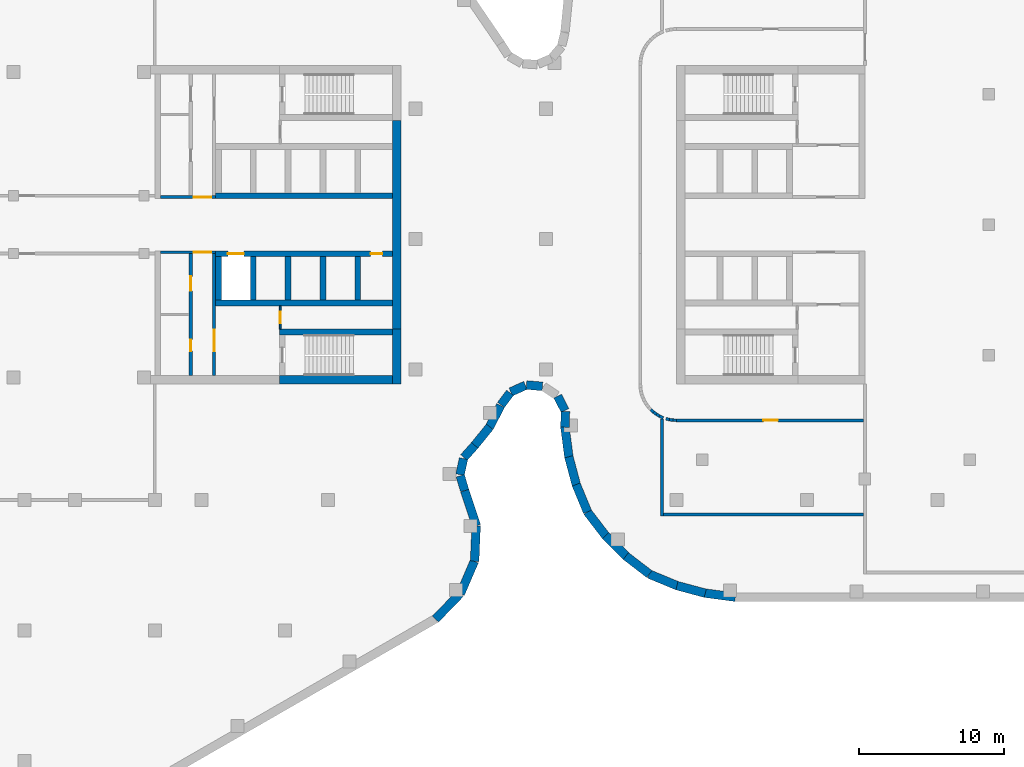
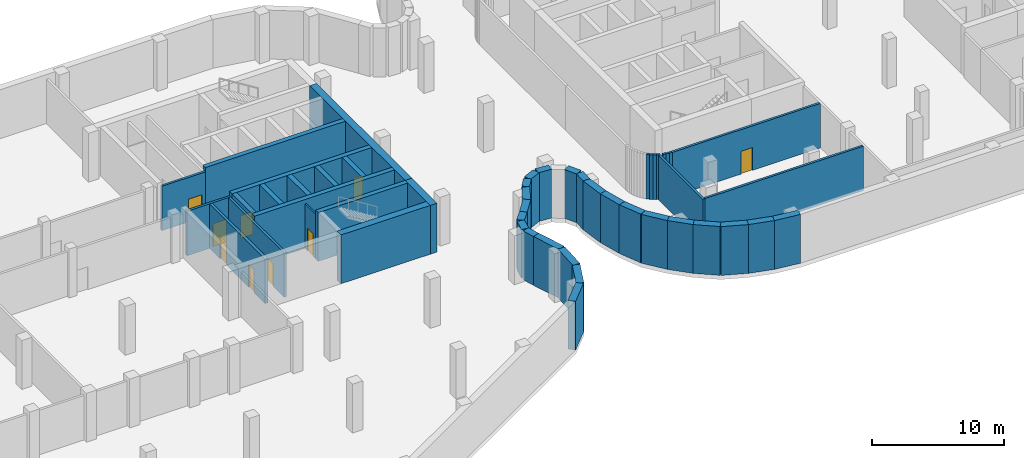
# One storey, part 7 of 16: 50 walls, 9 doors, 9 openings.
"""IFC4 building model written with IfcOpenShell, lengths in metres."""

from ifc_helpers import new_model, si_unit, direction, frame, frame_2d, origin, place, context, subcontext, project, spatial, rectangle, extrude, material, layer, layer_set, type_object, element, fill, save


model = new_model("IFC4")

# Units and contexts
model_context = context("Model", 3, precision=1e-05, world=origin(), true_north=direction((0.0, 1.0)))
body_context = subcontext(model_context, "Body", "Model", "MODEL_VIEW")
ifc_project = project(units=[si_unit("LENGTHUNIT", "METRE"), si_unit("AREAUNIT", "SQUARE_METRE"), si_unit("VOLUMEUNIT", "CUBIC_METRE"), si_unit("PLANEANGLEUNIT", "RADIAN"), si_unit("MASSUNIT", "GRAM", prefix="KILO")], contexts=[model_context])

# Site, building, storey
site_placement = place(None, origin())
site = spatial("IfcSite", under=ifc_project, at=site_placement, CompositionType="ELEMENT")
building_placement = place(site_placement, origin())
building = spatial("IfcBuilding", under=site, at=building_placement, Name="Skarvind Civic Tower", CompositionType="ELEMENT")
storey_placement = place(building_placement, frame((0.0, 0.0, -4.5)))
storey = spatial("IfcBuildingStorey", under=building, at=storey_placement, Name="B1", CompositionType="ELEMENT", Elevation=-4.5)

# Walls
ifc_material_1 = material(Name="Concrete C40", Category="concrete")
ifc_layer_1 = layer(ifc_material_1, 0.60009765625)
ifc_layer_set_1 = layer_set([ifc_layer_1], Name="Basement retaining wall 600 C40")
wall_type_1 = type_object("IfcWallType", Name="Basement retaining wall 600 C40", PredefinedType="SHEAR", material=ifc_layer_set_1)
wall_1_placement = place(storey_placement, frame((131.06103515625, 102.29736328125, 0.0), z_axis=(0.0, 0.0, 1.0), x_axis=(-0.991440646942, 0.130558200013, 0.0)))
element("IfcWall", 1, at=wall_1_placement, inside=storey, type_object=wall_type_1, Name="Basement retaining wall B1 64", PredefinedType="SHEAR", context=body_context, shape_type="SweptSolid", body=[
    extrude(rectangle(XDim=2.1318359375, YDim=0.60009765625, at=frame_2d((1.06591796875, 0.0))), origin(), (0.0, 0.0, 1.0), 4.5),
])
wall_2_placement = place(storey_placement, frame((128.986083984375, 102.568115234375, 0.0), z_axis=(0.0, 0.0, 1.0), x_axis=(-0.965929732323, 0.258804467146, 0.0)))
element("IfcWall", 2, at=wall_2_placement, inside=storey, type_object=wall_type_1, Name="Basement retaining wall B1 65", PredefinedType="SHEAR", context=body_context, shape_type="SweptSolid", body=[
    extrude(rectangle(XDim=2.0224609375, YDim=0.60009765625, at=frame_2d((1.01123046875, 0.0))), origin(), (0.0, 0.0, 1.0), 4.5),
])
wall_3_placement = place(storey_placement, frame((127.0693359375, 103.078857421875, 0.0), z_axis=(0.0, 0.0, 1.0), x_axis=(-0.924006983526, 0.382375593358, 0.0)))
element("IfcWall", 3, at=wall_3_placement, inside=storey, type_object=wall_type_1, Name="Basement retaining wall B1 66", PredefinedType="SHEAR", context=body_context, shape_type="SweptSolid", body=[
    extrude(rectangle(XDim=2.114013671875, YDim=0.60009765625, at=frame_2d((1.05712890625, 0.0))), origin(), (0.0, 0.0, 1.0), 4.5),
])
wall_4_placement = place(storey_placement, frame((125.12841796875, 103.890625, 0.0), z_axis=(0.0, 0.0, 1.0), x_axis=(-0.793125485267, 0.609058260448, 0.0)))
element("IfcWall", 4, at=wall_4_placement, inside=storey, type_object=wall_type_1, Name="Basement retaining wall B1 67", PredefinedType="SHEAR", context=body_context, shape_type="SweptSolid", body=[
    extrude(rectangle(XDim=2.0439453125, YDim=0.60009765625, at=frame_2d((1.02197265625, 0.0))), origin(), (0.0, 0.0, 1.0), 4.5),
])
wall_5_placement = place(storey_placement, frame((123.536865234375, 105.109619140625, 0.0), z_axis=(0.0, 0.0, 1.0), x_axis=(-0.707106781187, 0.707106781187, 0.0)))
element("IfcWall", 5, at=wall_5_placement, inside=storey, type_object=wall_type_1, Name="Basement retaining wall B1 68", PredefinedType="SHEAR", context=body_context, shape_type="SweptSolid", body=[
    extrude(rectangle(XDim=2.018310546875, YDim=0.60009765625, at=frame_2d((1.00927734375, 0.0))), origin(), (0.0, 0.0, 1.0), 4.5),
])
wall_6_placement = place(storey_placement, frame((122.135498046875, 106.50732421875, 0.0), z_axis=(0.0, 0.0, 1.0), x_axis=(-0.609052002567, 0.79313029079, 0.0)))
element("IfcWall", 6, at=wall_6_placement, inside=storey, type_object=wall_type_1, Name="Basement retaining wall B1 69", PredefinedType="SHEAR", context=body_context, shape_type="SweptSolid", body=[
    extrude(rectangle(XDim=2.114013671875, YDim=0.60009765625, at=frame_2d((1.05712890625, 0.0))), origin(), (0.0, 0.0, 1.0), 4.5),
])
wall_7_placement = place(storey_placement, frame((120.8603515625, 108.1806640625, 0.0), z_axis=(0.0, 0.0, 1.0), x_axis=(-0.382341242798, 0.924021197839, 0.0)))
element("IfcWall", 7, at=wall_7_placement, inside=storey, type_object=wall_type_1, Name="Basement retaining wall B1 70", PredefinedType="SHEAR", context=body_context, shape_type="SweptSolid", body=[
    extrude(rectangle(XDim=2.0439453125, YDim=0.60009765625, at=frame_2d((1.02197265625, 0.0))), origin(), (0.0, 0.0, 1.0), 4.5),
])
wall_8_placement = place(storey_placement, frame((120.091552734375, 110.032470703125, 0.0), z_axis=(0.0, 0.0, 1.0), x_axis=(-0.258804467146, 0.965929732323, 0.0)))
element("IfcWall", 8, at=wall_8_placement, inside=storey, type_object=wall_type_1, Name="Basement retaining wall B1 71", PredefinedType="SHEAR", context=body_context, shape_type="SweptSolid", body=[
    extrude(rectangle(XDim=2.0224609375, YDim=0.60009765625, at=frame_2d((1.01123046875, 0.0))), origin(), (0.0, 0.0, 1.0), 4.5),
])
wall_9_placement = place(storey_placement, frame((119.57568359375, 111.947509765625, 0.0), z_axis=(0.0, 0.0, 1.0), x_axis=(-0.130558200013, 0.991440646942, 0.0)))
element("IfcWall", 9, at=wall_9_placement, inside=storey, type_object=wall_type_1, Name="Basement retaining wall B1 72", PredefinedType="SHEAR", context=body_context, shape_type="SweptSolid", body=[
    extrude(rectangle(XDim=2.1318359375, YDim=0.60009765625, at=frame_2d((1.06591796875, 0.0))), origin(), (0.0, 0.0, 1.0), 4.5),
])
wall_10_placement = place(storey_placement, frame((119.300048828125, 114.02099609375, 0.0), z_axis=(0.0, 0.0, 1.0), x_axis=(0.035851376959, 0.999357132746, 0.0)))
element("IfcWall", 10, at=wall_10_placement, inside=storey, type_object=wall_type_1, Name="Basement retaining wall B1 73", PredefinedType="SHEAR", context=body_context, shape_type="SweptSolid", body=[
    extrude(rectangle(XDim=1.089599609375, YDim=0.60009765625, at=frame_2d((0.544921875, 0.0))), origin(), (0.0, 0.0, 1.0), 4.5),
])
wall_11_placement = place(storey_placement, frame((119.308837890625, 115.177978515625, 0.0), z_axis=(0.0, 0.0, 1.0), x_axis=(-0.453803794189, 0.891101630781, 0.0)))
element("IfcWall", 11, at=wall_11_placement, inside=storey, type_object=wall_type_1, Name="Basement retaining wall B1 74", PredefinedType="SHEAR", context=body_context, shape_type="SweptSolid", body=[
    extrude(rectangle(XDim=1.109375, YDim=0.60009765625, at=frame_2d((0.5546875, 0.0))), origin(), (0.0, 0.0, 1.0), 4.5),
])
for number, where, z_axis, x_axis, name in (
    (12, (117.751953125, 116.841552734375, 0.0), (0.0, 0.0, 1.0), (-0.996273540208, 0.086249829453, 0.0), "Basement retaining wall B1 76"),
    (13, (116.5771484375, 116.91015625, 0.0), (0.0, 0.0, 1.0), (-0.912911040257, -0.408158587533, 0.0), "Basement retaining wall B1 77"),
):
    element("IfcWall", number, at=place(storey_placement, frame(where, z_axis=z_axis, x_axis=x_axis)), inside=storey, type_object=wall_type_1, Name=name, PredefinedType="SHEAR", context=body_context, shape_type="SweptSolid", body=[
        extrude(rectangle(XDim=1.109619140625, YDim=0.60009765625, at=frame_2d((0.5546875, 0.0))), origin(), (0.0, 0.0, 1.0), 4.5),
    ])
wall_12_placement = place(storey_placement, frame((115.5166015625, 116.400146484375, 0.0), z_axis=(0.0, 0.0, 1.0), x_axis=(-0.599962428306, -0.800028177392, 0.0)))
element("IfcWall", 14, at=wall_12_placement, inside=storey, type_object=wall_type_1, Name="Basement retaining wall B1 78", PredefinedType="SHEAR", context=body_context, shape_type="SweptSolid", body=[
    extrude(rectangle(XDim=1.039794921875, YDim=0.60009765625, at=frame_2d((0.52001953125, 0.0))), origin(), (0.0, 0.0, 1.0), 4.5),
])
wall_13_placement = place(storey_placement, frame((114.865478515625, 115.524658203125, 0.0), z_axis=(0.0, 0.0, 1.0), x_axis=(-0.454203210797, -0.890898110505, 0.0)))
element("IfcWall", 15, at=wall_13_placement, inside=storey, type_object=wall_type_1, Name="Basement retaining wall B1 79", PredefinedType="SHEAR", context=body_context, shape_type="SweptSolid", body=[
    extrude(rectangle(XDim=1.687255859375, YDim=0.60009765625, at=frame_2d((0.84375, 0.0))), origin(), (0.0, 0.0, 1.0), 4.5),
])
wall_14_placement = place(storey_placement, frame((114.114501953125, 114.05078125, 0.0), z_axis=(0.0, 0.0, 1.0), x_axis=(-0.630015715698, -0.77658238325, 0.0)))
element("IfcWall", 16, at=wall_14_placement, inside=storey, type_object=wall_type_1, Name="Basement retaining wall B1 80", PredefinedType="SHEAR", context=body_context, shape_type="SweptSolid", body=[
    extrude(rectangle(XDim=1.657470703125, YDim=0.60009765625, at=frame_2d((0.82861328125, 0.0))), origin(), (0.0, 0.0, 1.0), 4.5),
])
wall_15_placement = place(storey_placement, frame((113.079345703125, 112.77392578125, 0.0), z_axis=(0.0, 0.0, 1.0), x_axis=(-0.664659423307, -0.747146472259, 0.0)))
element("IfcWall", 17, at=wall_15_placement, inside=storey, type_object=wall_type_1, Name="Basement retaining wall B1 81", PredefinedType="SHEAR", context=body_context, shape_type="SweptSolid", body=[
    extrude(rectangle(XDim=1.127685546875, YDim=0.60009765625, at=frame_2d((0.56396484375, 0.0))), origin(), (0.0, 0.0, 1.0), 4.5),
])
wall_16_placement = place(storey_placement, frame((112.309814453125, 111.859130859375, 0.0), z_axis=(0.0, 0.0, 1.0), x_axis=(-0.216998636299, -0.976171906912, 0.0)))
element("IfcWall", 18, at=wall_16_placement, inside=storey, type_object=wall_type_1, Name="Basement retaining wall B1 82", PredefinedType="SHEAR", context=body_context, shape_type="SweptSolid", body=[
    extrude(rectangle(XDim=1.137451171875, YDim=0.60009765625, at=frame_2d((0.56884765625, 0.0))), origin(), (0.0, 0.0, 1.0), 4.5),
])
wall_17_placement = place(storey_placement, frame((112.08056640625, 110.67578125, 0.0), z_axis=(0.0, 0.0, 1.0), x_axis=(0.285606178301, -0.958347072264, 0.0)))
element("IfcWall", 19, at=wall_17_placement, inside=storey, type_object=wall_type_1, Name="Basement retaining wall B1 83", PredefinedType="SHEAR", context=body_context, shape_type="SweptSolid", body=[
    extrude(rectangle(XDim=1.067626953125, YDim=0.60009765625, at=frame_2d((0.53369140625, 0.0))), origin(), (0.0, 0.0, 1.0), 4.5),
])
wall_18_placement = place(storey_placement, frame((112.388427734375, 109.643310546875, 0.0), z_axis=(0.0, 0.0, 1.0), x_axis=(0.316342415142, -0.948645073978, 0.0)))
element("IfcWall", 20, at=wall_18_placement, inside=storey, type_object=wall_type_1, Name="Basement retaining wall B1 84", PredefinedType="SHEAR", context=body_context, shape_type="SweptSolid", body=[
    extrude(rectangle(XDim=2.555419921875, YDim=0.60009765625, at=frame_2d((1.27783203125, 0.0))), origin(), (0.0, 0.0, 1.0), 4.5),
])
for number, where, z_axis, x_axis, name in (
    (21, (113.1767578125, 107.206787109375, 0.0), (0.0, 0.0, 1.0), (-0.042001630397, -0.999117542156, 0.0), "Basement retaining wall B1 85"),
    (22, (113.05126953125, 104.76904296875, 0.0), (0.0, 0.0, 1.0), (-0.394862771196, -0.918740111198, 0.0), "Basement retaining wall B1 86"),
    (23, (112.06640625, 102.53564453125, 0.0), (0.0, 0.0, 1.0), (-0.695943864418, -0.718096189643, 0.0), "Basement retaining wall B1 87"),
):
    element("IfcWall", number, at=place(storey_placement, frame(where, z_axis=z_axis, x_axis=x_axis)), inside=storey, type_object=wall_type_1, Name=name, PredefinedType="SHEAR", context=body_context, shape_type="SweptSolid", body=[
        extrude(rectangle(XDim=2.435546875, YDim=0.60009765625, at=frame_2d((1.2177734375, 0.0))), origin(), (0.0, 0.0, 1.0), 4.5),
    ])

# Wall, opening, door
ifc_material_2 = material(Name="Fire-rated masonry partition", Category="masonry")
ifc_layer_2 = layer(ifc_material_2, 0.199951171875)
ifc_layer_set_2 = layer_set([ifc_layer_2], Name="Core enclosure wall 200")
wall_type_2 = type_object("IfcWallType", Name="Core enclosure wall 200", PredefinedType="PARTITIONING", material=ifc_layer_set_2)
wall_19_placement = place(storey_placement, frame((95.199951171875, 126.10009765625, 0.0), z_axis=(0.0, 0.0, 1.0), x_axis=(-1.0, 0.0, 0.0)))
wall_19 = element("IfcWall", 24, at=wall_19_placement, inside=storey, type_object=wall_type_2, Name="Core wall C1", PredefinedType="PARTITIONING", context=body_context, shape_type="SweptSolid", body=[
    extrude(rectangle(XDim=3.800048828125, YDim=0.199951171875, at=frame_2d((1.89990234375, 0.0))), origin(), (0.0, 0.0, 1.0), 4.10009765625),
])
opening_1_placement = place(wall_19_placement, frame((0.300048828125, 0.0, 0.0)))
opening_1 = element("IfcOpeningElement", 25, at=opening_1_placement, cuts=wall_19, Name="Opening D-B1-C1-03", PredefinedType="OPENING", context=body_context, shape_type="SweptSolid", body=[
    extrude(rectangle(XDim=1.199951171875, YDim=2.10009765625, at=frame_2d((0.60009765625, 1.050048828125))), frame((0.0, 0.10986328125, 0.0), z_axis=(0.0, -1.0, 0.0), x_axis=(1.0, 0.0, 0.0)), (0.0, 0.0, 1.0), 0.219970703125),
])
ifc_material_3 = material(Name="Fire-rated steel door", Category="steel")
door_type_1 = type_object("IfcDoorType", Name="Core lobby door 1200", OperationType="NOTDEFINED", PredefinedType="DOOR", material=ifc_material_3)
door_1_placement = place(opening_1_placement, origin())
door_1 = element("IfcDoor", 26, at=door_1_placement, inside=storey, type_object=door_type_1, Name="Fire door", OperationType="DOUBLE_DOOR_SINGLE_SWING", OverallHeight=2.10009765625, OverallWidth=1.199951171875, PredefinedType="DOOR", context=body_context, shape_type="SweptSolid", body=[
    extrude(rectangle(XDim=1.199951171875, YDim=2.10009765625, at=frame_2d((0.60009765625, 1.050048828125))), frame((0.0, 0.02490234375, 0.0), z_axis=(0.0, -1.0, 0.0), x_axis=(1.0, 0.0, 0.0)), (0.0, 0.0, 1.0), 0.050048828125),
])
fill(opening_1, door_1)

wall_20_placement = place(storey_placement, frame((95.10009765625, 117.60009765625, 0.0), z_axis=(0.0, 0.0, 1.0), x_axis=(0.0, 1.0, 0.0)))
wall_20 = element("IfcWall", 27, at=wall_20_placement, inside=storey, type_object=wall_type_2, Name="Core wall C1", PredefinedType="PARTITIONING", context=body_context, shape_type="SweptSolid", body=[
    extrude(rectangle(XDim=8.39990234375, YDim=0.199951171875, at=frame_2d((4.199951171875, 0.0))), origin(), (0.0, 0.0, 1.0), 4.10009765625),
])
opening_2_placement = place(wall_20_placement, frame((1.64990234375, 0.0, 0.0)))
opening_2 = element("IfcOpeningElement", 28, at=opening_2_placement, cuts=wall_20, Name="Opening D-B1-C1-04", PredefinedType="OPENING", context=body_context, shape_type="SweptSolid", body=[
    extrude(rectangle(XDim=1.5, YDim=2.10009765625, at=frame_2d((0.75, 1.050048828125))), frame((0.0, 0.10986328125, 0.0), z_axis=(0.0, -1.0, 0.0), x_axis=(1.0, 0.0, 0.0)), (0.0, 0.0, 1.0), 0.219970703125),
])
door_type_2 = type_object("IfcDoorType", Name="Fire door 1500", OperationType="NOTDEFINED", PredefinedType="DOOR", material=ifc_material_3)
door_2_placement = place(opening_2_placement, origin())
door_2 = element("IfcDoor", 29, at=door_2_placement, inside=storey, type_object=door_type_2, Name="Fire door", OperationType="DOUBLE_DOOR_SINGLE_SWING", OverallHeight=2.10009765625, OverallWidth=1.5, PredefinedType="DOOR", context=body_context, shape_type="SweptSolid", body=[
    extrude(rectangle(XDim=1.5, YDim=2.10009765625, at=frame_2d((0.75, 1.050048828125))), frame((0.0, 0.02490234375, 0.0), z_axis=(0.0, -1.0, 0.0), x_axis=(1.0, 0.0, 0.0)), (0.0, 0.0, 1.0), 0.050048828125),
])
fill(opening_2, door_2)

wall_21_placement = place(storey_placement, frame((91.39990234375, 129.89990234375, 0.0), z_axis=(0.0, 0.0, 1.0), x_axis=(1.0, 0.0, 0.0)))
wall_21 = element("IfcWall", 30, at=wall_21_placement, inside=storey, type_object=wall_type_2, Name="Core wall C1", PredefinedType="PARTITIONING", context=body_context, shape_type="SweptSolid", body=[
    extrude(rectangle(XDim=3.800048828125, YDim=0.199951171875, at=frame_2d((1.89990234375, 0.0))), origin(), (0.0, 0.0, 1.0), 4.10009765625),
])
opening_3_placement = place(wall_21_placement, frame((2.300048828125, 0.0, 0.0)))
opening_3 = element("IfcOpeningElement", 31, at=opening_3_placement, cuts=wall_21, Name="Opening D-B1-C1-09", PredefinedType="OPENING", context=body_context, shape_type="SweptSolid", body=[
    extrude(rectangle(XDim=1.199951171875, YDim=2.10009765625, at=frame_2d((0.60009765625, 1.050048828125))), frame((0.0, 0.10986328125, 0.0), z_axis=(0.0, -1.0, 0.0), x_axis=(1.0, 0.0, 0.0)), (0.0, 0.0, 1.0), 0.219970703125),
])
door_3_placement = place(opening_3_placement, origin())
door_3 = element("IfcDoor", 32, at=door_3_placement, inside=storey, type_object=door_type_1, Name="Fire door", OperationType="DOUBLE_DOOR_SINGLE_SWING", OverallHeight=2.10009765625, OverallWidth=1.199951171875, PredefinedType="DOOR", context=body_context, shape_type="SweptSolid", body=[
    extrude(rectangle(XDim=1.199951171875, YDim=2.10009765625, at=frame_2d((0.60009765625, 1.050048828125))), frame((0.0, 0.02490234375, 0.0), z_axis=(0.0, -1.0, 0.0), x_axis=(1.0, 0.0, 0.0)), (0.0, 0.0, 1.0), 0.050048828125),
])
fill(opening_3, door_3)

# Walls
ifc_material_4 = material(Name="Concrete C80", Category="concrete")
ifc_layer_3 = layer(ifc_material_4, 0.39990234375)
ifc_layer_set_3 = layer_set([ifc_layer_3], Name="Core wall 400 C80")
wall_type_3 = type_object("IfcWallType", Name="Core wall 400 C80", PredefinedType="SHEAR", material=ifc_layer_set_3)
wall_22_placement = place(storey_placement, frame((107.39990234375, 120.60009765625, 0.0), z_axis=(0.0, 0.0, 1.0), x_axis=(-1.0, 0.0, 0.0)))
element("IfcWall", 33, at=wall_22_placement, inside=storey, type_object=wall_type_3, Name="Core wall C1 north stair inner B1", PredefinedType="SHEAR", context=body_context, shape_type="SweptSolid", body=[
    extrude(rectangle(XDim=7.7998046875, YDim=0.39990234375, at=frame_2d((3.89990234375, 0.0))), origin(), (0.0, 0.0, 1.0), 4.5),
])
wall_23_placement = place(storey_placement, frame((107.39990234375, 130.0, 0.0), z_axis=(0.0, 0.0, 1.0), x_axis=(-1.0, 0.0, 0.0)))
element("IfcWall", 34, at=wall_23_placement, inside=storey, type_object=wall_type_3, Name="Core wall C1 south lift row front B1", PredefinedType="SHEAR", context=body_context, shape_type="SweptSolid", body=[
    extrude(rectangle(XDim=12.199951171875, YDim=0.39990234375, at=frame_2d((6.10009765625, 0.0))), origin(), (0.0, 0.0, 1.0), 4.5),
])

# Wall, openings, doors
wall_24_placement = place(storey_placement, frame((107.39990234375, 126.0, 0.0), z_axis=(0.0, 0.0, 1.0), x_axis=(-1.0, 0.0, 0.0)))
wall_24 = element("IfcWall", 35, at=wall_24_placement, inside=storey, type_object=wall_type_3, Name="Core wall C1 north lift row front B1", PredefinedType="SHEAR", context=body_context, shape_type="SweptSolid", body=[
    extrude(rectangle(XDim=12.199951171875, YDim=0.39990234375, at=frame_2d((6.10009765625, 0.0))), origin(), (0.0, 0.0, 1.0), 4.5),
])
opening_4_placement = place(wall_24_placement, frame((10.25, 0.0, 0.0)))
opening_4 = element("IfcOpeningElement", 36, at=opening_4_placement, cuts=wall_24, Name="Opening LD01105", PredefinedType="OPENING", context=body_context, shape_type="SweptSolid", body=[
    extrude(rectangle(XDim=1.10009765625, YDim=2.10009765625, at=frame_2d((0.550048828125, 1.050048828125))), frame((0.0, 0.2099609375, 0.0), z_axis=(0.0, -1.0, 0.0), x_axis=(1.0, 0.0, 0.0)), (0.0, 0.0, 1.0), 0.419921875),
])
opening_5_placement = place(wall_24_placement, frame((0.699951171875, 0.0, 0.0)))
opening_5 = element("IfcOpeningElement", 37, at=opening_5_placement, cuts=wall_24, Name="Opening D-B1-C1-02", PredefinedType="OPENING", context=body_context, shape_type="SweptSolid", body=[
    extrude(rectangle(XDim=0.800048828125, YDim=2.10009765625, at=frame_2d((0.39990234375, 1.050048828125))), frame((0.0, 0.2099609375, 0.0), z_axis=(0.0, -1.0, 0.0), x_axis=(1.0, 0.0, 0.0)), (0.0, 0.0, 1.0), 0.419921875),
])
door_type_3 = type_object("IfcDoorType", Name="Core riser door 800", OperationType="NOTDEFINED", PredefinedType="DOOR", material=ifc_material_3)
door_4_placement = place(opening_5_placement, origin())
door_4 = element("IfcDoor", 38, at=door_4_placement, inside=storey, type_object=door_type_3, Name="Riser door", OperationType="SINGLE_SWING_LEFT", OverallHeight=2.10009765625, OverallWidth=0.800048828125, PredefinedType="DOOR", context=body_context, shape_type="SweptSolid", body=[
    extrude(rectangle(XDim=0.800048828125, YDim=2.10009765625, at=frame_2d((0.39990234375, 1.050048828125))), frame((0.0, 0.02490234375, 0.0), z_axis=(0.0, -1.0, 0.0), x_axis=(1.0, 0.0, 0.0)), (0.0, 0.0, 1.0), 0.050048828125),
])
fill(opening_5, door_4)
ifc_material_5 = material(Name="Stainless steel landing door", Category="steel")
door_type_4 = type_object("IfcDoorType", Name="Lift landing door 1100", OperationType="DOUBLE_DOOR_SLIDING", PredefinedType="DOOR", material=ifc_material_5)
door_5_placement = place(opening_4_placement, origin())
door_5 = element("IfcDoor", 39, at=door_5_placement, inside=storey, type_object=door_type_4, Name="Lift landing door", OperationType="DOUBLE_DOOR_SLIDING", OverallHeight=2.10009765625, OverallWidth=1.10009765625, PredefinedType="DOOR", context=body_context, shape_type="SweptSolid", body=[
    extrude(rectangle(XDim=1.10009765625, YDim=2.10009765625, at=frame_2d((0.550048828125, 1.050048828125))), frame((0.0, 0.02490234375, 0.0), z_axis=(0.0, -1.0, 0.0), x_axis=(1.0, 0.0, 0.0)), (0.0, 0.0, 1.0), 0.050048828125),
])
fill(opening_4, door_5)

# Walls
wall_25_placement = place(storey_placement, frame((107.39990234375, 122.60009765625, 0.0), z_axis=(0.0, 0.0, 1.0), x_axis=(-1.0, 0.0, 0.0)))
element("IfcWall", 40, at=wall_25_placement, inside=storey, type_object=wall_type_3, Name="Core wall C1 north lift row back B1", PredefinedType="SHEAR", context=body_context, shape_type="SweptSolid", body=[
    extrude(rectangle(XDim=12.199951171875, YDim=0.39990234375, at=frame_2d((6.10009765625, 0.0))), origin(), (0.0, 0.0, 1.0), 4.5),
])
for number, where, z_axis, x_axis, name in (
    (41, (105.0, 125.800048828125, 0.0), (0.0, 0.0, 1.0), (0.0, -1.0, 0.0), "Core wall C1 north lift row division 1 B1"),
    (42, (102.60009765625, 125.800048828125, 0.0), (0.0, 0.0, 1.0), (0.0, -1.0, 0.0), "Core wall C1 north lift row division 2 B1"),
    (43, (100.199951171875, 125.800048828125, 0.0), (0.0, 0.0, 1.0), (0.0, -1.0, 0.0), "Core wall C1 north lift row division 3 B1"),
    (44, (97.800048828125, 125.800048828125, 0.0), (0.0, 0.0, 1.0), (0.0, -1.0, 0.0), "Core wall C1 north lift row division 4 B1"),
    (45, (95.39990234375, 125.800048828125, 0.0), (0.0, 0.0, 1.0), (0.0, -1.0, 0.0), "Core wall C1 north lift row division 5 B1"),
):
    element("IfcWall", number, at=place(storey_placement, frame(where, z_axis=z_axis, x_axis=x_axis)), inside=storey, type_object=wall_type_3, Name=name, PredefinedType="SHEAR", context=body_context, shape_type="SweptSolid", body=[
        extrude(rectangle(XDim=3.0, YDim=0.39990234375, at=frame_2d((1.5, 0.0))), origin(), (0.0, 0.0, 1.0), 4.5),
    ])
ifc_layer_4 = layer(ifc_material_4, 0.60009765625)
ifc_layer_set_4 = layer_set([ifc_layer_4], Name="Core wall 600 C80")
wall_type_4 = type_object("IfcWallType", Name="Core wall 600 C80", PredefinedType="SHEAR", material=ifc_layer_set_4)
wall_26_placement = place(storey_placement, frame((107.699951171875, 135.199951171875, 0.0), z_axis=(0.0, 0.0, 1.0), x_axis=(0.0, -1.0, 0.0)))
element("IfcWall", 46, at=wall_26_placement, inside=storey, type_object=wall_type_4, Name="Core wall C1 tip between the stairs B1", PredefinedType="SHEAR", context=body_context, shape_type="SweptSolid", body=[
    extrude(rectangle(XDim=14.39990234375, YDim=0.60009765625, at=frame_2d((7.199951171875, 0.0))), origin(), (0.0, 0.0, 1.0), 4.5),
])
wall_27_placement = place(storey_placement, frame((107.699951171875, 120.800048828125, 0.0), z_axis=(0.0, 0.0, 1.0), x_axis=(0.0, -1.0, 0.0)))
element("IfcWall", 47, at=wall_27_placement, inside=storey, type_object=wall_type_4, Name="Core wall C1 tip at the north stair B1", PredefinedType="SHEAR", context=body_context, shape_type="SweptSolid", body=[
    extrude(rectangle(XDim=3.800048828125, YDim=0.60009765625, at=frame_2d((1.89990234375, 0.0))), origin(), (0.0, 0.0, 1.0), 4.5),
])
wall_28_placement = place(storey_placement, frame((107.39990234375, 117.300048828125, 0.0), z_axis=(0.0, 0.0, 1.0), x_axis=(-1.0, 0.0, 0.0)))
element("IfcWall", 48, at=wall_28_placement, inside=storey, type_object=wall_type_4, Name="Core wall C1 north side at the stair B1", PredefinedType="SHEAR", context=body_context, shape_type="SweptSolid", body=[
    extrude(rectangle(XDim=7.7998046875, YDim=0.60009765625, at=frame_2d((3.89990234375, 0.0))), origin(), (0.0, 0.0, 1.0), 4.5),
])
ifc_material_6 = material(Name="Fire-rated blockwork wall, plastered", Category="masonry")
ifc_layer_5 = layer(ifc_material_6, 0.199951171875)
ifc_layer_set_5 = layer_set([ifc_layer_5], Name="FIRE WALL 200 EI 60")
wall_type_5 = type_object("IfcWallType", Name="FIRE WALL 200 EI 60", PredefinedType="PARTITIONING", material=ifc_layer_set_5)
wall_29_placement = place(storey_placement, frame((125.22802734375, 115.235107421875, 0.0), z_axis=(0.0, 0.0, 1.0), x_axis=(0.742914175687, -0.66938668015, 0.0)))
element("IfcWall", 49, at=wall_29_placement, inside=storey, type_object=wall_type_5, Name="Basement partition B1 051", PredefinedType="PARTITIONING", context=body_context, shape_type="SweptSolid", body=[
    extrude(rectangle(XDim=0.255615234375, YDim=0.199951171875, at=frame_2d((0.1279296875, 0.0))), origin(), (0.0, 0.0, 1.0), 4.10009765625),
])
wall_30_placement = place(storey_placement, frame((125.409912109375, 115.070068359375, 0.0), z_axis=(0.0, 0.0, 1.0), x_axis=(0.803201336243, -0.595707657713, 0.0)))
element("IfcWall", 50, at=wall_30_placement, inside=storey, type_object=wall_type_5, Name="Basement partition B1 053", PredefinedType="PARTITIONING", context=body_context, shape_type="SweptSolid", body=[
    extrude(rectangle(XDim=0.25537109375, YDim=0.199951171875, at=frame_2d((0.127685546875, 0.0))), origin(), (0.0, 0.0, 1.0), 4.10009765625),
])
wall_31_placement = place(storey_placement, frame((125.60693359375, 114.924072265625, 0.0), z_axis=(0.0, 0.0, 1.0), x_axis=(0.857998903579, -0.513651517527, 0.0)))
element("IfcWall", 51, at=wall_31_placement, inside=storey, type_object=wall_type_5, Name="Basement partition B1 055", PredefinedType="PARTITIONING", context=body_context, shape_type="SweptSolid", body=[
    extrude(rectangle(XDim=0.255126953125, YDim=0.199951171875, at=frame_2d((0.12744140625, 0.0))), origin(), (0.0, 0.0, 1.0), 4.10009765625),
])
wall_32_placement = place(storey_placement, frame((125.818115234375, 114.797119140625, 0.0), z_axis=(0.0, 0.0, 1.0), x_axis=(0.902065692634, -0.431598755991, 0.0)))
element("IfcWall", 52, at=wall_32_placement, inside=storey, type_object=wall_type_5, Name="Basement partition B1 057", PredefinedType="PARTITIONING", context=body_context, shape_type="SweptSolid", body=[
    extrude(rectangle(XDim=0.301513671875, YDim=0.199951171875, at=frame_2d((0.15087890625, 0.0))), origin(), (0.0, 0.0, 1.0), 4.10009765625),
])
wall_33_placement = place(storey_placement, frame((126.0, 107.89990234375, 0.0), z_axis=(0.0, 0.0, 1.0), x_axis=(0.0, 1.0, 0.0)))
element("IfcWall", 53, at=wall_33_placement, inside=storey, type_object=wall_type_5, Name="Basement partition B1 059", PredefinedType="PARTITIONING", context=body_context, shape_type="SweptSolid", body=[
    extrude(rectangle(XDim=6.69921875, YDim=0.199951171875, at=frame_2d((3.349609375, 0.0))), origin(), (0.0, 0.0, 1.0), 4.10009765625),
])
wall_34_placement = place(storey_placement, frame((126.10009765625, 108.0, 0.0), z_axis=(0.0, 0.0, 1.0), x_axis=(1.0, 0.0, 0.0)))
element("IfcWall", 54, at=wall_34_placement, inside=storey, type_object=wall_type_5, Name="Basement partition B1 060", PredefinedType="PARTITIONING", context=body_context, shape_type="SweptSolid", body=[
    extrude(rectangle(XDim=13.7998046875, YDim=0.199951171875, at=frame_2d((6.89990234375, 0.0))), origin(), (0.0, 0.0, 1.0), 4.10009765625),
])
wall_35_placement = place(storey_placement, frame((126.26904296875, 114.60888671875, 0.0), z_axis=(0.0, 0.0, 1.0), x_axis=(0.970366809683, -0.241636616978, 0.0)))
element("IfcWall", 55, at=wall_35_placement, inside=storey, type_object=wall_type_5, Name="Basement partition B1 065", PredefinedType="PARTITIONING", context=body_context, shape_type="SweptSolid", body=[
    extrude(rectangle(XDim=0.255615234375, YDim=0.199951171875, at=frame_2d((0.1279296875, 0.0))), origin(), (0.0, 0.0, 1.0), 4.10009765625),
])
wall_36_placement = place(storey_placement, frame((126.507080078125, 114.549072265625, 0.0), z_axis=(0.0, 0.0, 1.0), x_axis=(0.988852180426, -0.148900521377, 0.0)))
element("IfcWall", 56, at=wall_36_placement, inside=storey, type_object=wall_type_5, Name="Basement partition B1 067", PredefinedType="PARTITIONING", context=body_context, shape_type="SweptSolid", body=[
    extrude(rectangle(XDim=0.255859375, YDim=0.199951171875, at=frame_2d((0.1279296875, 0.0))), origin(), (0.0, 0.0, 1.0), 4.10009765625),
])
wall_37_placement = place(storey_placement, frame((126.75, 114.511962890625, 0.0), z_axis=(0.0, 0.0, 1.0), x_axis=(0.998874697667, -0.047427190102, 0.0)))
element("IfcWall", 57, at=wall_37_placement, inside=storey, type_object=wall_type_5, Name="Basement partition B1 069", PredefinedType="PARTITIONING", context=body_context, shape_type="SweptSolid", body=[
    extrude(rectangle(XDim=0.252197265625, YDim=0.199951171875, at=frame_2d((0.1259765625, 0.0))), origin(), (0.0, 0.0, 1.0), 4.10009765625),
])

# Wall, opening, door
wall_38_placement = place(storey_placement, frame((139.89990234375, 114.5, 0.0), z_axis=(0.0, 0.0, 1.0), x_axis=(-1.0, 0.0, 0.0)))
wall_38 = element("IfcWall", 58, at=wall_38_placement, inside=storey, type_object=wall_type_5, Name="Basement partition B1 071", PredefinedType="PARTITIONING", context=body_context, shape_type="SweptSolid", body=[
    extrude(rectangle(XDim=12.90185546875, YDim=0.199951171875, at=frame_2d((6.450927734375, 0.0))), origin(), (0.0, 0.0, 1.0), 4.10009765625),
])
opening_6_placement = place(wall_38_placement, frame((5.89990234375, 0.0, 0.0)))
opening_6 = element("IfcOpeningElement", 59, at=opening_6_placement, cuts=wall_38, Name="Opening B1-D213", PredefinedType="OPENING", context=body_context, shape_type="SweptSolid", body=[
    extrude(rectangle(XDim=1.0, YDim=2.10009765625, at=frame_2d((0.5, 1.050048828125))), frame((0.0, 0.10986328125, 0.0), z_axis=(0.0, -1.0, 0.0), x_axis=(1.0, 0.0, 0.0)), (0.0, 0.0, 1.0), 0.219970703125),
])
ifc_material_7 = material(Name="Painted steel fire door leaf", Category="steel")
door_type_5 = type_object("IfcDoorType", Name="FIRE DOOR 1000X2100 STEEL", OperationType="NOTDEFINED", PredefinedType="DOOR", material=ifc_material_7)
door_6_placement = place(opening_6_placement, origin())
door_6 = element("IfcDoor", 60, at=door_6_placement, inside=storey, type_object=door_type_5, Name="FIRE DOOR", OperationType="SINGLE_SWING_LEFT", OverallHeight=2.10009765625, OverallWidth=1.0, PredefinedType="DOOR", context=body_context, shape_type="SweptSolid", body=[
    extrude(rectangle(XDim=1.0, YDim=2.10009765625, at=frame_2d((0.5, 1.050048828125))), frame((0.0, 0.02490234375, 0.0), z_axis=(0.0, -1.0, 0.0), x_axis=(1.0, 0.0, 0.0)), (0.0, 0.0, 1.0), 0.050048828125),
])
fill(opening_6, door_6)

ifc_layer_6 = layer(ifc_material_2, 0.125)
ifc_layer_set_6 = layer_set([ifc_layer_6], Name="Riser wall 125")
wall_type_6 = type_object("IfcWallType", Name="Riser wall 125", PredefinedType="PARTITIONING", material=ifc_layer_set_6)
wall_39_placement = place(storey_placement, frame((99.66259765625, 120.800048828125, 0.0), z_axis=(0.0, 0.0, 1.0), x_axis=(0.0, 1.0, 0.0)))
wall_39 = element("IfcWall", 61, at=wall_39_placement, inside=storey, type_object=wall_type_6, Name="Core wall C1", PredefinedType="PARTITIONING", context=body_context, shape_type="SweptSolid", body=[
    extrude(rectangle(XDim=1.599853515625, YDim=0.125, at=frame_2d((0.7998046875, 0.0))), origin(), (0.0, 0.0, 1.0), 4.10009765625),
])
opening_7_placement = place(wall_39_placement, frame((0.39990234375, 0.0, 0.0)))
opening_7 = element("IfcOpeningElement", 62, at=opening_7_placement, cuts=wall_39, Name="Opening D-B1-C1-06", PredefinedType="OPENING", context=body_context, shape_type="SweptSolid", body=[
    extrude(rectangle(XDim=0.800048828125, YDim=2.10009765625, at=frame_2d((0.39990234375, 1.050048828125))), frame((0.0, 0.072509765625, 0.0), z_axis=(0.0, -1.0, 0.0), x_axis=(1.0, 0.0, 0.0)), (0.0, 0.0, 1.0), 0.14501953125),
])
door_7_placement = place(opening_7_placement, origin())
door_7 = element("IfcDoor", 63, at=door_7_placement, inside=storey, type_object=door_type_3, Name="Riser door", OperationType="SINGLE_SWING_RIGHT", OverallHeight=2.10009765625, OverallWidth=0.800048828125, PredefinedType="DOOR", context=body_context, shape_type="SweptSolid", body=[
    extrude(rectangle(XDim=0.800048828125, YDim=2.10009765625, at=frame_2d((0.39990234375, 1.050048828125))), frame((0.0, 0.02490234375, 0.0), z_axis=(0.0, -1.0, 0.0), x_axis=(1.0, 0.0, 0.0)), (0.0, 0.0, 1.0), 0.050048828125),
])
fill(opening_7, door_7)

# Wall, openings, doors
ifc_layer_7 = layer(ifc_material_2, 0.25)
ifc_layer_set_7 = layer_set([ifc_layer_7], Name="Service block wall 250")
wall_type_7 = type_object("IfcWallType", Name="Service block wall 250", PredefinedType="PARTITIONING", material=ifc_layer_set_7)
wall_40_placement = place(storey_placement, frame((93.47509765625, 117.60009765625, 0.0), z_axis=(0.0, 0.0, 1.0), x_axis=(0.0, 1.0, 0.0)))
wall_40 = element("IfcWall", 64, at=wall_40_placement, inside=storey, type_object=wall_type_7, Name="Core wall C1", PredefinedType="PARTITIONING", context=body_context, shape_type="SweptSolid", body=[
    extrude(rectangle(XDim=8.39990234375, YDim=0.25, at=frame_2d((4.199951171875, 0.0))), origin(), (0.0, 0.0, 1.0), 4.10009765625),
])
opening_8_placement = place(wall_40_placement, frame((5.824951171875, 0.0, 0.0)))
opening_8 = element("IfcOpeningElement", 65, at=opening_8_placement, cuts=wall_40, Name="Opening D-B1-C1-07", PredefinedType="OPENING", context=body_context, shape_type="SweptSolid", body=[
    extrude(rectangle(XDim=1.0, YDim=2.10009765625, at=frame_2d((0.5, 1.050048828125))), frame((0.0, 0.135009765625, 0.0), z_axis=(0.0, -1.0, 0.0), x_axis=(1.0, 0.0, 0.0)), (0.0, 0.0, 1.0), 0.27001953125),
])
opening_9_placement = place(wall_40_placement, frame((1.675048828125, 0.0, 0.0)))
opening_9 = element("IfcOpeningElement", 66, at=opening_9_placement, cuts=wall_40, Name="Opening D-B1-C1-08", PredefinedType="OPENING", context=body_context, shape_type="SweptSolid", body=[
    extrude(rectangle(XDim=0.800048828125, YDim=2.10009765625, at=frame_2d((0.39990234375, 1.050048828125))), frame((0.0, 0.135009765625, 0.0), z_axis=(0.0, -1.0, 0.0), x_axis=(1.0, 0.0, 0.0)), (0.0, 0.0, 1.0), 0.27001953125),
])
door_8_placement = place(opening_9_placement, origin())
door_8 = element("IfcDoor", 67, at=door_8_placement, inside=storey, type_object=door_type_3, Name="Riser door", OperationType="SINGLE_SWING_RIGHT", OverallHeight=2.10009765625, OverallWidth=0.800048828125, PredefinedType="DOOR", context=body_context, shape_type="SweptSolid", body=[
    extrude(rectangle(XDim=0.800048828125, YDim=2.10009765625, at=frame_2d((0.39990234375, 1.050048828125))), frame((0.0, 0.02490234375, 0.0), z_axis=(0.0, -1.0, 0.0), x_axis=(1.0, 0.0, 0.0)), (0.0, 0.0, 1.0), 0.050048828125),
])
fill(opening_9, door_8)
door_type_6 = type_object("IfcDoorType", Name="Fire door 1000", OperationType="NOTDEFINED", PredefinedType="DOOR", material=ifc_material_3)
door_9_placement = place(opening_8_placement, origin())
door_9 = element("IfcDoor", 68, at=door_9_placement, inside=storey, type_object=door_type_6, Name="Fire door", OperationType="SINGLE_SWING_LEFT", OverallHeight=2.10009765625, OverallWidth=1.0, PredefinedType="DOOR", context=body_context, shape_type="SweptSolid", body=[
    extrude(rectangle(XDim=1.0, YDim=2.10009765625, at=frame_2d((0.5, 1.050048828125))), frame((0.0, 0.02490234375, 0.0), z_axis=(0.0, -1.0, 0.0), x_axis=(1.0, 0.0, 0.0)), (0.0, 0.0, 1.0), 0.050048828125),
])
fill(opening_8, door_9)

save(model, "model.ifc")
